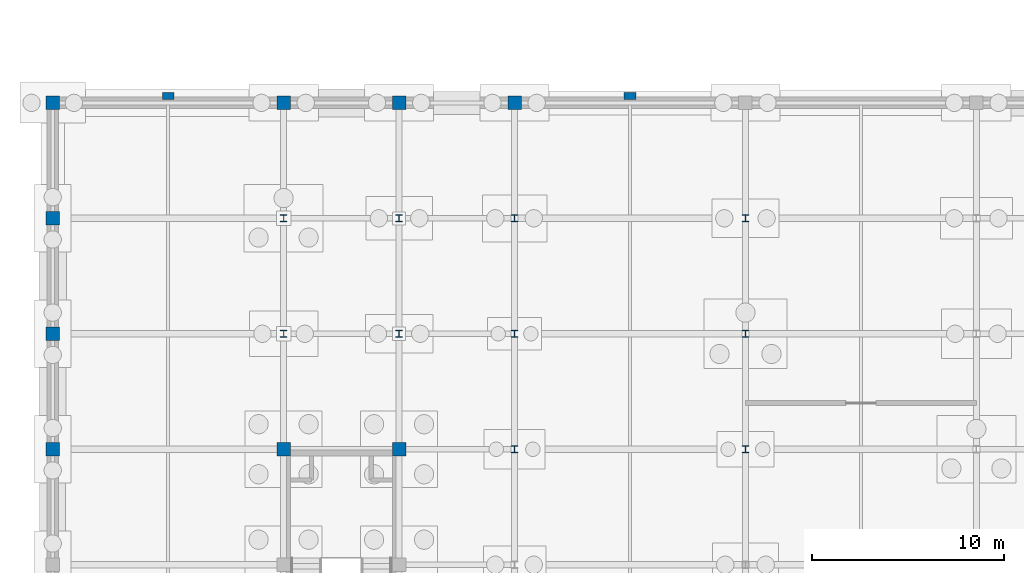
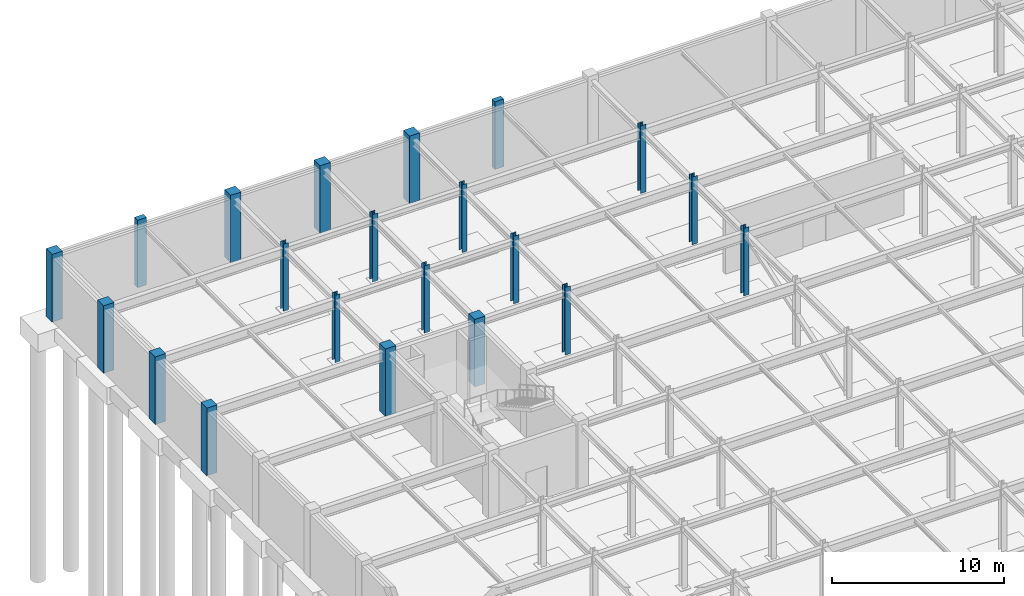
# One storey, part 23 of 69: 21 columns.
"""IFC4 building model written with IfcOpenShell, lengths in metres."""

from ifc_helpers import new_model, si_unit, direction, frame, origin, origin_2d, place, context, subcontext, project, spatial, rectangle, i_section, extrude, material, material_profile, profile_set, type_object, element, save


model = new_model("IFC4")

# Units and contexts
model_context = context("Model", 3, precision=1e-05, world=origin(), true_north=direction((0.0, 1.0)))
body_context = subcontext(model_context, "Body", "Model", "MODEL_VIEW")
ifc_project = project(units=[si_unit("LENGTHUNIT", "METRE"), si_unit("AREAUNIT", "SQUARE_METRE"), si_unit("VOLUMEUNIT", "CUBIC_METRE"), si_unit("PLANEANGLEUNIT", "RADIAN"), si_unit("MASSUNIT", "GRAM", prefix="KILO")], contexts=[model_context])

# Site, building, storey
site_placement = place(None, origin())
site = spatial("IfcSite", under=ifc_project, at=site_placement, CompositionType="ELEMENT")
building_placement = place(site_placement, origin())
building = spatial("IfcBuilding", under=site, at=building_placement, Name="Zlatovratsky Civic Hall", CompositionType="ELEMENT")
storey_placement = place(building_placement, frame((0.0, 0.0, -4.800048828125)))
storey = spatial("IfcBuildingStorey", under=building, at=storey_placement, Name="B1", CompositionType="ELEMENT", Elevation=-4.800048828125)

# Columns
ifc_material_1 = material(Name="Concrete C35/45 (B40)", Category="concrete")
ifc_material_profile_1 = material_profile(ifc_material_1, rectangle(XDim=0.699951171875, YDim=0.699951171875, at=origin_2d()), Name="RC 700x700")
ifc_profile_set_1 = profile_set([ifc_material_profile_1], Name="Concrete C35/45 (B40)")
column_type_1 = type_object("IfcColumnType", Name="Col_CorePier_RC700", PredefinedType="COLUMN", material=ifc_profile_set_1)
for number, where, z_axis, x_axis, name in (
    (1, (0.0, 96.0, 0.0), (0.0, 0.0, 1.0), (1.0, 0.0, 0.0), "CL-0325"),
    (2, (12.0, 96.0, 0.0), (0.0, 0.0, 1.0), (1.0, 0.0, 0.0), "CL-0326"),
    (3, (18.0, 96.0, 0.0), (0.0, 0.0, 1.0), (1.0, 0.0, 0.0), "CL-0327"),
    (4, (0.0, 102.0, 0.0), (0.0, 0.0, 1.0), (1.0, 0.0, 0.0), "CL-0348"),
    (5, (0.0, 108.0, 0.0), (0.0, 0.0, 1.0), (1.0, 0.0, 0.0), "CL-0371"),
    (6, (0.0, 114.0, 0.0), (0.0, 0.0, 1.0), (1.0, 0.0, 0.0), "CL-0394"),
    (7, (12.0, 114.0, 0.0), (0.0, 0.0, 1.0), (1.0, 0.0, 0.0), "CL-0395"),
    (8, (18.0, 114.0, 0.0), (0.0, 0.0, 1.0), (1.0, 0.0, 0.0), "CL-0396"),
    (9, (24.0, 114.0, 0.0), (0.0, 0.0, 1.0), (1.0, 0.0, 0.0), "CL-0397"),
):
    element("IfcColumn", number, at=place(storey_placement, frame(where, z_axis=z_axis, x_axis=x_axis)), inside=storey, type_object=column_type_1, Name=name, PredefinedType="COLUMN", context=body_context, shape_type="SweptSolid", body=[
        extrude(rectangle(XDim=0.699951171875, YDim=0.699951171875, at=origin_2d()), origin(), (0.0, 0.0, 1.0), 4.800048828125),
    ])
ifc_material_2 = material(Name="Steel S355", Category="steel")
ifc_material_profile_2 = material_profile(ifc_material_2, i_section(OverallWidth=0.35009765625, OverallDepth=0.35009765625, WebThickness=0.011962890625, FlangeThickness=0.01904296875, FilletRadius=0.02001953125, at=origin_2d()), Name="35K2")
ifc_profile_set_2 = profile_set([ifc_material_profile_2], Name="Steel S355")
column_type_2 = type_object("IfcColumnType", Name="Col_Steel_35K2", PredefinedType="COLUMN", material=ifc_profile_set_2)
for number, where, z_axis, x_axis, name in (
    (10, (24.0, 96.0, 0.0), (0.0, 0.0, 1.0), (1.0, 0.0, 0.0), "CL-0328"),
    (11, (36.0, 96.0, 0.0), (0.0, 0.0, 1.0), (1.0, 0.0, 0.0), "CL-0329"),
    (12, (12.0, 102.0, 0.0), (0.0, 0.0, 1.0), (1.0, 0.0, 0.0), "CL-0349"),
    (13, (18.0, 102.0, 0.0), (0.0, 0.0, 1.0), (1.0, 0.0, 0.0), "CL-0350"),
    (14, (24.0, 102.0, 0.0), (0.0, 0.0, 1.0), (1.0, 0.0, 0.0), "CL-0351"),
    (15, (36.0, 102.0, 0.0), (0.0, 0.0, 1.0), (1.0, 0.0, 0.0), "CL-0352"),
    (16, (12.0, 108.0, 0.0), (0.0, 0.0, 1.0), (1.0, 0.0, 0.0), "CL-0372"),
    (17, (18.0, 108.0, 0.0), (0.0, 0.0, 1.0), (1.0, 0.0, 0.0), "CL-0373"),
    (18, (24.0, 108.0, 0.0), (0.0, 0.0, 1.0), (1.0, 0.0, 0.0), "CL-0374"),
    (19, (36.0, 108.0, 0.0), (0.0, 0.0, 1.0), (1.0, 0.0, 0.0), "CL-0375"),
):
    element("IfcColumn", number, at=place(storey_placement, frame(where, z_axis=z_axis, x_axis=x_axis)), inside=storey, type_object=column_type_2, Name=name, PredefinedType="COLUMN", context=body_context, shape_type="SweptSolid", body=[
        extrude(i_section(OverallWidth=0.35009765625, OverallDepth=0.35009765625, WebThickness=0.011962890625, FlangeThickness=0.01904296875, FilletRadius=0.02001953125, at=origin_2d()), origin(), (0.0, 0.0, 1.0), 4.800048828125),
    ])
ifc_material_profile_3 = material_profile(ifc_material_1, rectangle(XDim=0.60009765625, YDim=0.360107421875, at=origin_2d()), Name="RC 600x360")
ifc_profile_set_3 = profile_set([ifc_material_profile_3], Name="Concrete C35/45 (B40)")
column_type_3 = type_object("IfcColumnType", Name="Pilaster_Classical_RC600x360", PredefinedType="PILASTER", material=ifc_profile_set_3)
for number, where, z_axis, x_axis, name in (
    (20, (6.0, 114.35009765625, 0.0), (0.0, 0.0, 1.0), (1.0, 0.0, 0.0), "CL-2719"),
    (21, (30.0, 114.35009765625, 0.0), (0.0, 0.0, 1.0), (1.0, 0.0, 0.0), "CL-2720"),
):
    element("IfcColumn", number, at=place(storey_placement, frame(where, z_axis=z_axis, x_axis=x_axis)), inside=storey, type_object=column_type_3, Name=name, PredefinedType="PILASTER", context=body_context, shape_type="SweptSolid", body=[
        extrude(rectangle(XDim=0.60009765625, YDim=0.360107421875, at=origin_2d()), origin(), (0.0, 0.0, 1.0), 4.800048828125),
    ])

save(model, "model.ifc")
